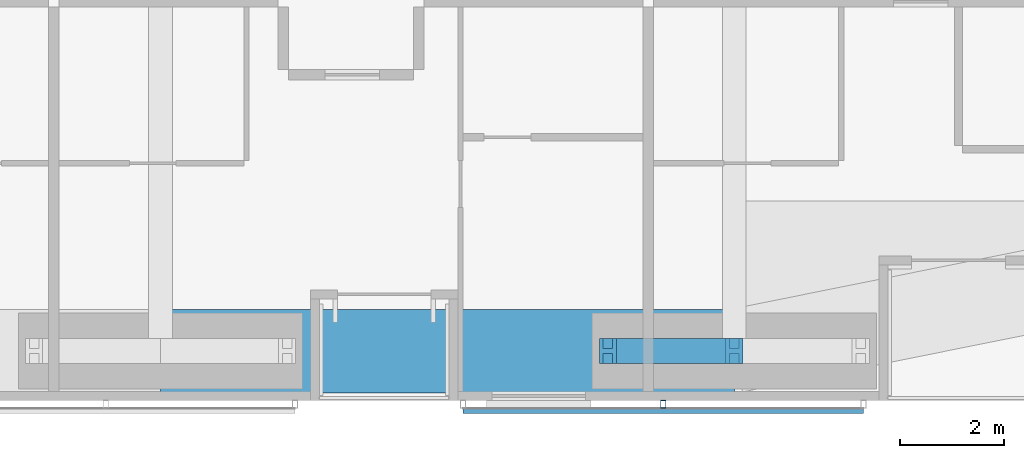
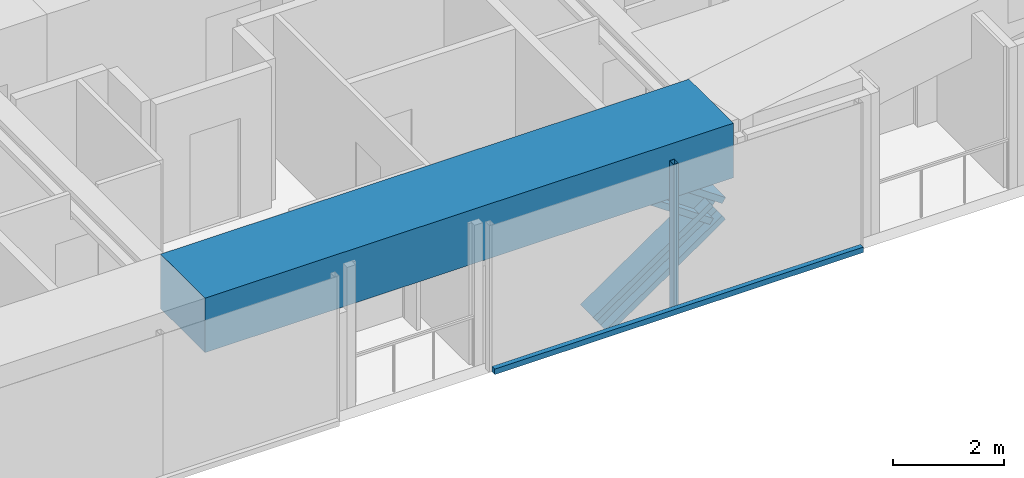
# One storey, part 5 of 23: 4 members, 1 beam, 1 element without a shape of its own.
"""IFC4 building model written with IfcOpenShell, lengths in metres."""

from ifc_helpers import new_model, si_unit, direction, frame, origin, origin_2d, place, context, subcontext, project, spatial, rectangle, hollow_rectangle, i_section, extrude, material, material_profile, profile_set, type_object, element, aggregate, save


model = new_model("IFC4")

# Units and contexts
model_context = context("Model", 3, precision=1e-05, world=origin(), true_north=direction((0.0, 1.0)))
body_context = subcontext(model_context, "Body", "Model", "MODEL_VIEW")
ifc_project = project(units=[si_unit("LENGTHUNIT", "METRE"), si_unit("AREAUNIT", "SQUARE_METRE"), si_unit("VOLUMEUNIT", "CUBIC_METRE"), si_unit("PLANEANGLEUNIT", "RADIAN"), si_unit("MASSUNIT", "GRAM", prefix="KILO")], contexts=[model_context])

# Site, building, storey
site_placement = place(None, origin())
site = spatial("IfcSite", under=ifc_project, at=site_placement, CompositionType="ELEMENT")
building_placement = place(site_placement, origin())
building = spatial("IfcBuilding", under=site, at=building_placement, Name="Jalousie Tower", CompositionType="ELEMENT")
storey_placement = place(building_placement, frame((0.0, 0.0, 31.050048828125)))
storey = spatial("IfcBuildingStorey", under=building, at=storey_placement, Name="L07", CompositionType="ELEMENT", Elevation=31.050048828125)

# Members
ifc_material_1 = material(Name="Steel ASTM A992 Grade 50", Category="steel")
ifc_material_profile_1 = material_profile(ifc_material_1, i_section(OverallWidth=0.472412109375, OverallDepth=0.5791015625, WebThickness=0.094970703125, FlangeThickness=0.1298828125, at=origin_2d()), Name="W14X808")
ifc_profile_set_1 = profile_set([ifc_material_profile_1], Name="Steel ASTM A992 Grade 50")
member_type_1 = type_object("IfcMemberType", Name="PERIMETER BRACE W14X808", PredefinedType="BRACE", material=ifc_profile_set_1)
for number, where, z_axis, x_axis, name in (
    (1, (32.574951171875, 0.949951171875, -0.60009765625), (0.822800062329, 0.0, 0.568330940062), (0.0, 1.0, 0.0), "Perimeter brace 04 L07 part 1"),
    (2, (35.0, 0.949951171875, 1.074951171875), (-0.822800062329, 0.0, 0.568330940062), (0.0, -1.0, 0.0), "Perimeter brace 04 L07 part 4"),
):
    element("IfcMember", number, at=place(storey_placement, frame(where, z_axis=z_axis, x_axis=x_axis)), inside=storey, type_object=member_type_1, Name=name, PredefinedType="BRACE", context=body_context, shape_type="SweptSolid", body=[
        extrude(i_section(OverallWidth=0.472412109375, OverallDepth=0.5791015625, WebThickness=0.094970703125, FlangeThickness=0.1298828125, at=origin_2d()), origin(), (0.0, 0.0, 1.0), 2.947265625),
    ])

# Beam
ifc_material_2 = material(Name="Concrete f'c 40 MPa", Category="concrete")
ifc_material_profile_2 = material_profile(ifc_material_2, rectangle(XDim=1.60009765625, YDim=1.199951171875, at=origin_2d()), Name="RC 1600x1200")
ifc_profile_set_2 = profile_set([ifc_material_profile_2], Name="Concrete f'c 40 MPa")
beam_type = type_object("IfcBeamType", Name="RC BEAM 1600x1200", PredefinedType="BEAM", material=ifc_profile_set_2)
beam_placement = place(storey_placement, frame((24.0, 0.949951171875, 2.75), z_axis=(1.0, 0.0, 0.0), x_axis=(0.0, 1.0, 0.0)))
element("IfcBeam", 3, at=beam_placement, inside=storey, type_object=beam_type, Name="Edge band beam 03-04 under L08", PredefinedType="BEAM", context=body_context, shape_type="SweptSolid", body=[
    extrude(rectangle(XDim=1.60009765625, YDim=1.199951171875, at=origin_2d()), origin(), (0.0, 0.0, 1.0), 11.0),
])

# Curtain wall, members
ifc_material_3 = material(Name="Perforated aluminium sheet", Category="aluminium")
curtain_wall_type = type_object("IfcCurtainWallType", Name="SOLAR SCREEN SS-1", PredefinedType="USERDEFINED", material=ifc_material_3)
curtain_wall_placement = place(storey_placement, origin())
curtain_wall = element("IfcCurtainWall", 4, at=curtain_wall_placement, inside=storey, type_object=curtain_wall_type, Name="Solar screen L07", ObjectType="SOLAR SCREEN SS-1", PredefinedType="USERDEFINED")
ifc_material_4 = material(Name="Steel ASTM A500 Grade C", Category="steel")
ifc_material_profile_3 = material_profile(ifc_material_4, hollow_rectangle(XDim=0.1015625, YDim=0.15234375, WallThickness=0.00634765625, at=origin_2d()), Name="HSS6X4X1/4")
ifc_profile_set_3 = profile_set([ifc_material_profile_3], Name="Steel ASTM A500 Grade C")
member_type_2 = type_object("IfcMemberType", Name="SOLAR SCREEN SS-1 MULLION", PredefinedType="MULLION", material=ifc_profile_set_3)
member_1_placement = place(storey_placement, frame((33.637451171875, -0.0712890625, -0.1201171875), z_axis=(0.0, 0.0, 1.0), x_axis=(1.0, 0.0, 0.0)))
member_1 = element("IfcMember", 5, at=member_1_placement, type_object=member_type_2, Name="SS1 post 2", PredefinedType="MULLION", context=body_context, shape_type="SweptSolid", body=[
    extrude(hollow_rectangle(XDim=0.1015625, YDim=0.15234375, WallThickness=0.00634765625, at=origin_2d()), origin(), (0.0, 0.0, 1.0), 3.22998046875),
])
ifc_material_5 = material(Name="Extruded aluminium screen rail", Category="aluminium")
ifc_material_profile_4 = material_profile(ifc_material_5, rectangle(XDim=0.1015625, YDim=0.1201171875, at=origin_2d()), Name="RAIL 102x120")
ifc_profile_set_4 = profile_set([ifc_material_profile_4], Name="Extruded aluminium screen rail")
member_type_3 = type_object("IfcMemberType", Name="SOLAR SCREEN SS-1 TRANSOM", PredefinedType="USERDEFINED", material=ifc_profile_set_4)
member_2_placement = place(storey_placement, frame((29.800048828125, -0.1982421875, -0.06005859375), z_axis=(1.0, 0.0, 0.0), x_axis=(0.0, 1.0, 0.0)))
member_2 = element("IfcMember", 6, at=member_2_placement, type_object=member_type_3, Name="SS1 rail", ObjectType="TRANSOM", PredefinedType="USERDEFINED", context=body_context, shape_type="SweptSolid", body=[
    extrude(rectangle(XDim=0.1015625, YDim=0.1201171875, at=origin_2d()), origin(), (0.0, 0.0, 1.0), 7.675048828125),
])
aggregate(curtain_wall, [member_1, member_2])

save(model, "model.ifc")
